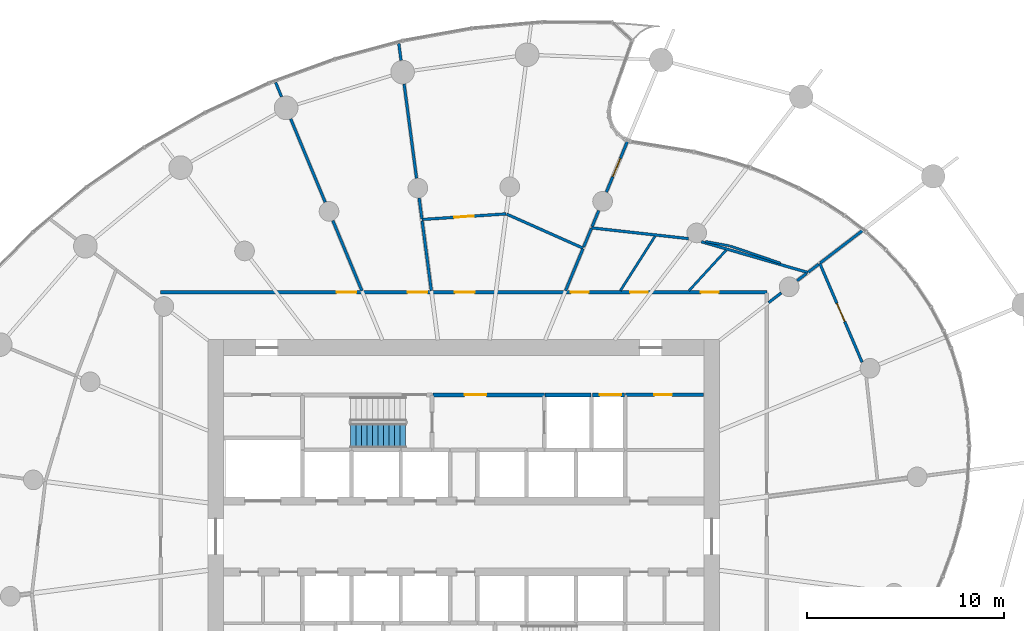
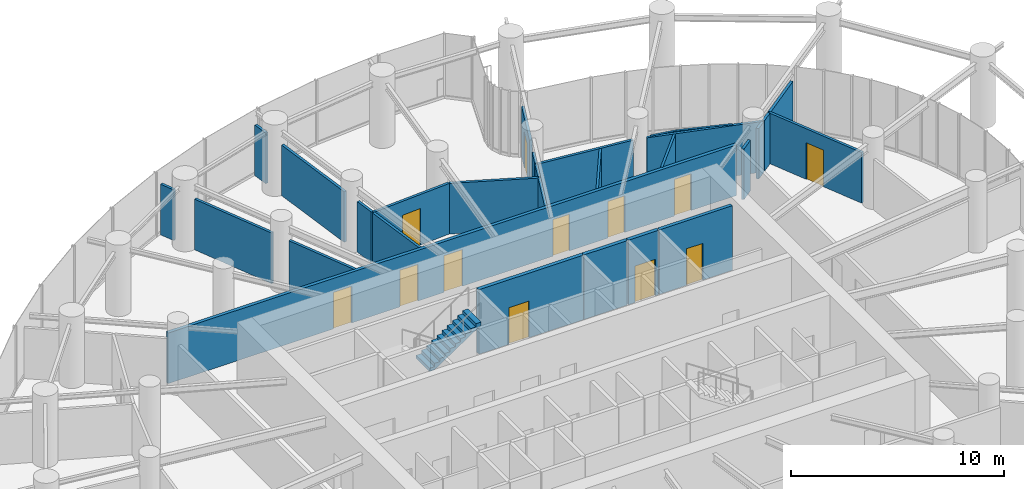
# One storey, part 17 of 21: 29 walls, 12 doors, 1 stair flight, 12 openings, 1 element without a shape of its own.
"""IFC4 building model written with IfcOpenShell, lengths in metres."""

from ifc_helpers import new_model, si_unit, direction, frame, frame_2d, origin, place, context, subcontext, project, spatial, line, indexed_curve, rectangle, outline, extrude, source, transform, mapped, material, layer, layer_set, type_object, element, fill, aggregate, save


model = new_model("IFC4")

# Units and contexts
model_context = context("Model", 3, precision=1e-05, world=origin(), true_north=direction((0.0, 1.0)))
body_context = subcontext(model_context, "Body", "Model", "MODEL_VIEW")
ifc_project = project(units=[si_unit("LENGTHUNIT", "METRE"), si_unit("AREAUNIT", "SQUARE_METRE"), si_unit("VOLUMEUNIT", "CUBIC_METRE"), si_unit("PLANEANGLEUNIT", "RADIAN"), si_unit("MASSUNIT", "GRAM", prefix="KILO")], contexts=[model_context])

# Site, building, storey
site_placement = place(None, origin())
site = spatial("IfcSite", under=ifc_project, at=site_placement, CompositionType="ELEMENT")
building_placement = place(site_placement, origin())
building = spatial("IfcBuilding", under=site, at=building_placement, Name="Spindrift Exchange Tower", CompositionType="ELEMENT")
storey_placement = place(building_placement, frame((0.0, 0.0, 83.89990234375)))
storey = spatial("IfcBuildingStorey", under=building, at=storey_placement, Name="L19", CompositionType="ELEMENT", Elevation=83.89990234375)

# Wall, opening, door
ifc_material_1 = material(Name="Fire-rated plasterboard partition", Category="gypsum")
ifc_layer_1 = layer(ifc_material_1, 0.179931640625)
ifc_layer_set_1 = layer_set([ifc_layer_1], Name="W-CORR-180")
wall_type_1 = type_object("IfcWallType", Name="W-CORR-180", PredefinedType="PARTITIONING", material=ifc_layer_set_1)
wall_1_placement = place(storey_placement, frame((64.179931640625, 55.199951171875, 0.0), z_axis=(0.0, 0.0, 1.0), x_axis=(-1.0, 0.0, 0.0)))
wall_1 = element("IfcWall", 1, at=wall_1_placement, inside=storey, type_object=wall_type_1, Name="L19 Partition wall 62", PredefinedType="PARTITIONING", context=body_context, shape_type="SweptSolid", body=[
    extrude(rectangle(XDim=3.949951171875, YDim=0.179931640625, at=frame_2d((1.97509765625, 0.0))), origin(), (0.0, 0.0, 1.0), 3.7001953125),
])
opening_1_placement = place(wall_1_placement, frame((1.60009765625, 0.0, 0.0)))
opening_1 = element("IfcOpeningElement", 2, at=opening_1_placement, cuts=wall_1, Name="Opening L19-D48", PredefinedType="OPENING", context=body_context, shape_type="SweptSolid", body=[
    extrude(rectangle(XDim=0.89990234375, YDim=2.10009765625, at=frame_2d((0.449951171875, 1.050048828125))), frame((0.0, 0.099853515625, 0.0), z_axis=(0.0, -1.0, 0.0), x_axis=(1.0, 0.0, 0.0)), (0.0, 0.0, 1.0), 0.199951171875),
])
ifc_material_2 = material(Name="Steel access door", Category="steel")
door_type_1 = type_object("IfcDoorType", Name="DR-RISER-900", OperationType="NOTDEFINED", PredefinedType="DOOR", material=ifc_material_2)
shared_shape_1 = source(origin(), body_context, "Body", "SweptSolid", [
    extrude(rectangle(XDim=0.89990234375, YDim=2.10009765625, at=frame_2d((0.449951171875, 1.050048828125))), frame((0.0, 0.02490234375, 0.0), z_axis=(0.0, -1.0, 0.0), x_axis=(1.0, 0.0, 0.0)), (0.0, 0.0, 1.0), 0.050048828125),
])
door_1_placement = place(opening_1_placement, origin())
door_1 = element("IfcDoor", 3, at=door_1_placement, inside=storey, type_object=door_type_1, Name="L19 Riser door 48", OperationType="SINGLE_SWING_RIGHT", OverallHeight=2.10009765625, OverallWidth=0.89990234375, PredefinedType="DOOR", context=body_context, shape_type="MappedRepresentation", body=[
    mapped(shared_shape_1, transform((0.0, 0.0, 0.0), scale=1.0)),
])
fill(opening_1, door_1)

# Wall
ifc_layer_2 = layer(ifc_material_1, 0.139892578125)
ifc_layer_set_2 = layer_set([ifc_layer_2], Name="W-PART-140")
wall_type_2 = type_object("IfcWallType", Name="W-PART-140", PredefinedType="PARTITIONING", material=ifc_layer_set_2)
wall_2_placement = place(storey_placement, frame((69.482666015625, 61.414794921875, 0.0), z_axis=(0.0, 0.0, 1.0), x_axis=(-0.960703393741, 0.277576996982, 0.0)))
element("IfcWall", 4, at=wall_2_placement, inside=storey, type_object=wall_type_2, Name="L19 Partition wall 72", PredefinedType="PARTITIONING", context=body_context, shape_type="SweptSolid", body=[
    extrude(rectangle(XDim=5.631591796875, YDim=0.139892578125, at=frame_2d((2.81591796875, 0.0))), origin(), (0.0, 0.0, 1.0), 2.900146484375),
])

# Wall, opening, door
wall_3_placement = place(storey_placement, frame((70.089111328125, 61.880126953125, 0.0), z_axis=(0.0, 0.0, 1.0), x_axis=(0.393299181535, -0.919410546929, 0.0)))
wall_3 = element("IfcWall", 5, at=wall_3_placement, inside=storey, type_object=wall_type_2, Name="L19 Partition wall 74", PredefinedType="PARTITIONING", context=body_context, shape_type="SweptSolid", body=[
    extrude(rectangle(XDim=5.465087890625, YDim=0.139892578125, at=frame_2d((2.732421875, 0.0))), origin(), (0.0, 0.0, 1.0), 2.900146484375),
])
opening_2_placement = place(wall_3_placement, frame((2.215087890625, 0.0, 0.0)))
opening_2 = element("IfcOpeningElement", 6, at=opening_2_placement, cuts=wall_3, Name="Opening L19-D25", PredefinedType="OPENING", context=body_context, shape_type="SweptSolid", body=[
    extrude(rectangle(XDim=1.0, YDim=2.10009765625, at=frame_2d((0.5, 1.050048828125))), frame((0.0, 0.079833984375, 0.0), z_axis=(0.0, -1.0, 0.0), x_axis=(1.0, 0.0, 0.0)), (0.0, 0.0, 1.0), 0.159912109375),
])
ifc_material_3 = material(Name="Timber-core fire door", Category="wood")
door_type_2 = type_object("IfcDoorType", Name="DR-ROOM-1000", OperationType="NOTDEFINED", PredefinedType="DOOR", material=ifc_material_3)
shared_shape_2 = source(origin(), body_context, "Body", "SweptSolid", [
    extrude(rectangle(XDim=1.0, YDim=2.10009765625, at=frame_2d((0.5, 1.050048828125))), frame((0.0, 0.02490234375, 0.0), z_axis=(0.0, -1.0, 0.0), x_axis=(1.0, 0.0, 0.0)), (0.0, 0.0, 1.0), 0.050048828125),
])
door_2_placement = place(opening_2_placement, origin())
door_2 = element("IfcDoor", 7, at=door_2_placement, inside=storey, type_object=door_type_2, Name="L19 Door 25", OperationType="SINGLE_SWING_LEFT", OverallHeight=2.10009765625, OverallWidth=1.0, PredefinedType="DOOR", context=body_context, shape_type="MappedRepresentation", body=[
    mapped(shared_shape_2, transform((0.0, 0.0, 0.0), scale=1.0)),
])
fill(opening_2, door_2)

# Wall
wall_4_placement = place(storey_placement, frame((63.421630859375, 63.134521484375, 0.0), z_axis=(0.0, 0.0, 1.0), x_axis=(-0.993871714134, 0.110539657341, 0.0)))
element("IfcWall", 8, at=wall_4_placement, inside=storey, type_object=wall_type_2, Name="L19 Partition wall 78", PredefinedType="PARTITIONING", context=body_context, shape_type="SweptSolid", body=[
    extrude(rectangle(XDim=4.9560546875, YDim=0.139892578125, at=frame_2d((2.47802734375, 0.0))), origin(), (0.0, 0.0, 1.0), 2.900146484375),
])

# Wall, opening, door
wall_5_placement = place(storey_placement, frame((49.87939453125, 64.10791015625, 0.0), z_axis=(0.0, 0.0, 1.0), x_axis=(0.997809026682, 0.066160005079, 0.0)))
wall_5 = element("IfcWall", 9, at=wall_5_placement, inside=storey, type_object=wall_type_2, Name="L19 Partition wall 83", PredefinedType="PARTITIONING", context=body_context, shape_type="SweptSolid", body=[
    extrude(rectangle(XDim=4.287841796875, YDim=0.139892578125, at=frame_2d((2.14404296875, 0.0))), origin(), (0.0, 0.0, 1.0), 2.900146484375),
])
opening_3_placement = place(wall_5_placement, frame((1.63818359375, 0.0, 0.0)))
opening_3 = element("IfcOpeningElement", 10, at=opening_3_placement, cuts=wall_5, Name="Opening L19-D30", PredefinedType="OPENING", context=body_context, shape_type="SweptSolid", body=[
    extrude(rectangle(XDim=1.0, YDim=2.10009765625, at=frame_2d((0.5, 1.050048828125))), frame((0.0, 0.079833984375, 0.0), z_axis=(0.0, -1.0, 0.0), x_axis=(1.0, 0.0, 0.0)), (0.0, 0.0, 1.0), 0.159912109375),
])
door_3_placement = place(opening_3_placement, origin())
door_3 = element("IfcDoor", 11, at=door_3_placement, inside=storey, type_object=door_type_2, Name="L19 Door 30", OperationType="SINGLE_SWING_RIGHT", OverallHeight=2.10009765625, OverallWidth=1.0, PredefinedType="DOOR", context=body_context, shape_type="MappedRepresentation", body=[
    mapped(shared_shape_2, transform((0.0, 0.0, 0.0), scale=1.0)),
])
fill(opening_3, door_3)

# Wall
wall_6_placement = place(storey_placement, frame((58.067626953125, 62.648681640625, 0.0), z_axis=(0.0, 0.0, 1.0), x_axis=(-0.913353847003, 0.40716673509, 0.0)))
element("IfcWall", 12, at=wall_6_placement, inside=storey, type_object=wall_type_2, Name="L19 Partition wall 84", PredefinedType="PARTITIONING", context=body_context, shape_type="SweptSolid", body=[
    extrude(rectangle(XDim=4.250732421875, YDim=0.139892578125, at=frame_2d((2.12548828125, 0.0))), origin(), (0.0, 0.0, 1.0), 2.900146484375),
])

# Wall, opening, door
wall_7_placement = place(storey_placement, frame((60.3115234375, 68.065673828125, 0.0), z_axis=(0.0, 0.0, 1.0), x_axis=(-0.382706055611, -0.923870161331, 0.0)))
wall_7 = element("IfcWall", 13, at=wall_7_placement, inside=storey, type_object=wall_type_2, Name="L19 Partition wall 93", PredefinedType="PARTITIONING", context=body_context, shape_type="SweptSolid", body=[
    extrude(rectangle(XDim=2.779541015625, YDim=0.139892578125, at=frame_2d((1.3896484375, 0.0))), origin(), (0.0, 0.0, 1.0), 2.900146484375),
])
opening_4_placement = place(wall_7_placement, frame((0.92919921875, 0.0, 0.0)))
opening_4 = element("IfcOpeningElement", 14, at=opening_4_placement, cuts=wall_7, Name="Opening L19-D31", PredefinedType="OPENING", context=body_context, shape_type="SweptSolid", body=[
    extrude(rectangle(XDim=1.0, YDim=2.10009765625, at=frame_2d((0.5, 1.050048828125))), frame((0.0, 0.079833984375, 0.0), z_axis=(0.0, -1.0, 0.0), x_axis=(1.0, 0.0, 0.0)), (0.0, 0.0, 1.0), 0.159912109375),
])
door_4_placement = place(opening_4_placement, origin())
door_4 = element("IfcDoor", 15, at=door_4_placement, inside=storey, type_object=door_type_2, Name="L19 Door 31", OperationType="SINGLE_SWING_LEFT", OverallHeight=2.10009765625, OverallWidth=1.0, PredefinedType="DOOR", context=body_context, shape_type="MappedRepresentation", body=[
    mapped(shared_shape_2, transform((0.0, 0.0, 0.0), scale=1.0)),
])
fill(opening_4, door_4)

# Walls
wall_8_placement = place(storey_placement, frame((70.11279296875, 61.8984375, 0.0), z_axis=(0.0, 0.0, 1.0), x_axis=(0.793370018498, 0.608739692931, 0.0)))
element("IfcWall", 16, at=wall_8_placement, inside=storey, type_object=wall_type_2, Name="L19 Partition wall 94", PredefinedType="PARTITIONING", context=body_context, shape_type="SweptSolid", body=[
    extrude(rectangle(XDim=2.710693359375, YDim=0.139892578125, at=frame_2d((1.35546875, 0.0))), origin(), (0.0, 0.0, 1.0), 2.900146484375),
])
wall_9_placement = place(storey_placement, frame((57.173583984375, 60.489990234375, 0.0), z_axis=(0.0, 0.0, 1.0), x_axis=(0.382622885098, 0.923904609686, 0.0)))
element("IfcWall", 17, at=wall_9_placement, inside=storey, type_object=wall_type_2, Name="L19 Partition wall 95", PredefinedType="PARTITIONING", context=body_context, shape_type="SweptSolid", body=[
    extrude(rectangle(XDim=2.306640625, YDim=0.139892578125, at=frame_2d((1.1533203125, 0.0))), origin(), (0.0, 0.0, 1.0), 2.900146484375),
])
wall_10_placement = place(storey_placement, frame((58.861328125, 64.564697265625, 0.0), z_axis=(0.0, 0.0, 1.0), x_axis=(-0.38276732447, -0.923844778801, 0.0)))
element("IfcWall", 18, at=wall_10_placement, inside=storey, type_object=wall_type_2, Name="L19 Partition wall 99", PredefinedType="PARTITIONING", context=body_context, shape_type="SweptSolid", body=[
    extrude(rectangle(XDim=0.882080078125, YDim=0.139892578125, at=frame_2d((0.44091796875, 0.0))), origin(), (0.0, 0.0, 1.0), 2.900146484375),
])
wall_11_placement = place(storey_placement, frame((58.484375, 63.65478515625, 0.0), z_axis=(0.0, 0.0, 1.0), x_axis=(-0.382640996584, -0.923897108846, 0.0)))
element("IfcWall", 19, at=wall_11_placement, inside=storey, type_object=wall_type_2, Name="L19 Partition wall 100", PredefinedType="PARTITIONING", context=body_context, shape_type="SweptSolid", body=[
    extrude(rectangle(XDim=1.01904296875, YDim=0.139892578125, at=frame_2d((0.509521484375, 0.0))), origin(), (0.0, 0.0, 1.0), 2.900146484375),
])
wall_12_placement = place(storey_placement, frame((67.489990234375, 59.885986328125, 0.0), z_axis=(0.0, 0.0, 1.0), x_axis=(0.793316076519, 0.608809989025, 0.0)))
element("IfcWall", 20, at=wall_12_placement, inside=storey, type_object=wall_type_2, Name="L19 Partition wall 114", PredefinedType="PARTITIONING", context=body_context, shape_type="SweptSolid", body=[
    extrude(rectangle(XDim=0.8125, YDim=0.139892578125, at=frame_2d((0.40625, 0.0))), origin(), (0.0, 0.0, 1.0), 2.900146484375),
])
wall_13_placement = place(storey_placement, frame((69.50634765625, 61.43310546875, 0.0), z_axis=(0.0, 0.0, 1.0), x_axis=(0.793404561432, 0.608694670504, 0.0)))
element("IfcWall", 21, at=wall_13_placement, inside=storey, type_object=wall_type_2, Name="L19 Partition wall 117", PredefinedType="PARTITIONING", context=body_context, shape_type="SweptSolid", body=[
    extrude(rectangle(XDim=0.662109375, YDim=0.139892578125, at=frame_2d((0.3310546875, 0.0))), origin(), (0.0, 0.0, 1.0), 2.900146484375),
])
wall_14_placement = place(storey_placement, frame((68.93505859375, 60.99462890625, 0.0), z_axis=(0.0, 0.0, 1.0), x_axis=(0.79334569595, 0.608771391178, 0.0)))
element("IfcWall", 22, at=wall_14_placement, inside=storey, type_object=wall_type_2, Name="L19 Partition wall 118", PredefinedType="PARTITIONING", context=body_context, shape_type="SweptSolid", body=[
    extrude(rectangle(XDim=0.603271484375, YDim=0.139892578125, at=frame_2d((0.3017578125, 0.0))), origin(), (0.0, 0.0, 1.0), 2.900146484375),
])
ifc_layer_3 = layer(ifc_material_1, 0.139892578125)
ifc_layer_set_3 = layer_set([ifc_layer_3], Name="W-PLANT-140")
wall_type_3 = type_object("IfcWallType", Name="W-PLANT-140", PredefinedType="PARTITIONING", material=ifc_layer_set_3)
wall_15_placement = place(storey_placement, frame((49.603515625, 66.203369140625, 0.0), z_axis=(0.0, 0.0, 1.0), x_axis=(-0.130552494248, 0.991441398291, 0.0)))
element("IfcWall", 23, at=wall_15_placement, inside=storey, type_object=wall_type_3, Name="L19 Partition wall 80", PredefinedType="PARTITIONING", context=body_context, shape_type="SweptSolid", body=[
    extrude(rectangle(XDim=4.833984375, YDim=0.139892578125, at=frame_2d((2.4169921875, 0.0))), origin(), (0.0, 0.0, 1.0), 2.900146484375),
])
wall_16_placement = place(storey_placement, frame((44.965087890625, 64.984130859375, 0.0), z_axis=(0.0, 0.0, 1.0), x_axis=(-0.382705930348, 0.923870213221, 0.0)))
element("IfcWall", 24, at=wall_16_placement, inside=storey, type_object=wall_type_3, Name="L19 Partition wall 81", PredefinedType="PARTITIONING", context=body_context, shape_type="SweptSolid", body=[
    extrude(rectangle(XDim=4.586669921875, YDim=0.139892578125, at=frame_2d((2.29345703125, 0.0))), origin(), (0.0, 0.0, 1.0), 2.900146484375),
])
wall_17_placement = place(storey_placement, frame((46.826416015625, 60.489990234375, 0.0), z_axis=(0.0, 0.0, 1.0), x_axis=(-0.382644558062, 0.923895633817, 0.0)))
element("IfcWall", 25, at=wall_17_placement, inside=storey, type_object=wall_type_3, Name="L19 Partition wall 87", PredefinedType="PARTITIONING", context=body_context, shape_type="SweptSolid", body=[
    extrude(rectangle(XDim=3.854248046875, YDim=0.139892578125, at=frame_2d((1.92724609375, 0.0))), origin(), (0.0, 0.0, 1.0), 2.900146484375),
])
wall_18_placement = place(storey_placement, frame((50.355712890625, 60.489990234375, 0.0), z_axis=(0.0, 0.0, 1.0), x_axis=(-0.130563916161, 0.991439894193, 0.0)))
element("IfcWall", 26, at=wall_18_placement, inside=storey, type_object=wall_type_3, Name="L19 Partition wall 91", PredefinedType="PARTITIONING", context=body_context, shape_type="SweptSolid", body=[
    extrude(rectangle(XDim=3.578857421875, YDim=0.139892578125, at=frame_2d((1.78955078125, 0.0))), origin(), (0.0, 0.0, 1.0), 2.900146484375),
])
wall_19_placement = place(storey_placement, frame((49.87548828125, 64.137451171875, 0.0), z_axis=(0.0, 0.0, 1.0), x_axis=(-0.130601397608, 0.991434957495, 0.0)))
element("IfcWall", 27, at=wall_19_placement, inside=storey, type_object=wall_type_3, Name="L19 Partition wall 110", PredefinedType="PARTITIONING", context=body_context, shape_type="SweptSolid", body=[
    extrude(rectangle(XDim=1.074951171875, YDim=0.139892578125, at=frame_2d((0.53759765625, 0.0))), origin(), (0.0, 0.0, 1.0), 2.900146484375),
])
wall_20_placement = place(storey_placement, frame((48.814697265625, 72.194580078125, 0.0), z_axis=(0.0, 0.0, 1.0), x_axis=(-0.130343356352, 0.991468915022, 0.0)))
element("IfcWall", 28, at=wall_20_placement, inside=storey, type_object=wall_type_3, Name="L19 Partition wall 115", PredefinedType="PARTITIONING", context=body_context, shape_type="SweptSolid", body=[
    extrude(rectangle(XDim=0.852294921875, YDim=0.139892578125, at=frame_2d((0.42626953125, 0.0))), origin(), (0.0, 0.0, 1.0), 2.900146484375),
])
wall_21_placement = place(storey_placement, frame((42.74658203125, 70.339599609375, 0.0), z_axis=(0.0, 0.0, 1.0), x_axis=(-0.382698732017, 0.92387319504, 0.0)))
element("IfcWall", 29, at=wall_21_placement, inside=storey, type_object=wall_type_3, Name="L19 Partition wall 116", PredefinedType="PARTITIONING", context=body_context, shape_type="SweptSolid", body=[
    extrude(rectangle(XDim=0.787109375, YDim=0.139892578125, at=frame_2d((0.3935546875, 0.0))), origin(), (0.0, 0.0, 1.0), 2.900146484375),
])

# Wall, openings, doors
ifc_layer_4 = layer(ifc_material_1, 0.179931640625)
ifc_layer_set_4 = layer_set([ifc_layer_4], Name="W-PLANT-180")
wall_type_4 = type_object("IfcWallType", Name="W-PLANT-180", PredefinedType="PARTITIONING", material=ifc_layer_set_4)
wall_22_placement = place(storey_placement, frame((36.60009765625, 60.39990234375, 0.0), z_axis=(0.0, 0.0, 1.0), x_axis=(1.0, 0.0, 0.0)))
wall_22 = element("IfcWall", 30, at=wall_22_placement, inside=storey, type_object=wall_type_4, Name="L19 Partition wall 58", PredefinedType="PARTITIONING", context=body_context, shape_type="SweptSolid", body=[
    extrude(rectangle(XDim=30.7998046875, YDim=0.179931640625, at=frame_2d((15.39990234375, 0.0))), origin(), (0.0, 0.0, 1.0), 2.900146484375),
])
opening_5_placement = place(wall_22_placement, frame((27.449951171875, 0.0, 0.0)))
opening_5 = element("IfcOpeningElement", 31, at=opening_5_placement, cuts=wall_22, Name="Opening L19-D26", PredefinedType="OPENING", context=body_context, shape_type="SweptSolid", body=[
    extrude(rectangle(XDim=0.89990234375, YDim=2.10009765625, at=frame_2d((0.449951171875, 1.050048828125))), frame((0.0, 0.099853515625, 0.0), z_axis=(0.0, -1.0, 0.0), x_axis=(1.0, 0.0, 0.0)), (0.0, 0.0, 1.0), 0.199951171875),
])
opening_6_placement = place(wall_22_placement, frame((23.85009765625, 0.0, 0.0)))
opening_6 = element("IfcOpeningElement", 32, at=opening_6_placement, cuts=wall_22, Name="Opening L19-D27", PredefinedType="OPENING", context=body_context, shape_type="SweptSolid", body=[
    extrude(rectangle(XDim=0.89990234375, YDim=2.10009765625, at=frame_2d((0.449951171875, 1.050048828125))), frame((0.0, 0.099853515625, 0.0), z_axis=(0.0, -1.0, 0.0), x_axis=(1.0, 0.0, 0.0)), (0.0, 0.0, 1.0), 0.199951171875),
])
opening_7_placement = place(wall_22_placement, frame((20.85009765625, 0.0, 0.0)))
opening_7 = element("IfcOpeningElement", 33, at=opening_7_placement, cuts=wall_22, Name="Opening L19-D28", PredefinedType="OPENING", context=body_context, shape_type="SweptSolid", body=[
    extrude(rectangle(XDim=0.89990234375, YDim=2.10009765625, at=frame_2d((0.449951171875, 1.050048828125))), frame((0.0, 0.099853515625, 0.0), z_axis=(0.0, -1.0, 0.0), x_axis=(1.0, 0.0, 0.0)), (0.0, 0.0, 1.0), 0.199951171875),
])
opening_8_placement = place(wall_22_placement, frame((14.949951171875, 0.0, 0.0)))
opening_8 = element("IfcOpeningElement", 34, at=opening_8_placement, cuts=wall_22, Name="Opening L19-D29", PredefinedType="OPENING", context=body_context, shape_type="SweptSolid", body=[
    extrude(rectangle(XDim=1.0, YDim=2.10009765625, at=frame_2d((0.5, 1.050048828125))), frame((0.0, 0.099853515625, 0.0), z_axis=(0.0, -1.0, 0.0), x_axis=(1.0, 0.0, 0.0)), (0.0, 0.0, 1.0), 0.199951171875),
])
opening_9_placement = place(wall_22_placement, frame((12.550048828125, 0.0, 0.0)))
opening_9 = element("IfcOpeningElement", 35, at=opening_9_placement, cuts=wall_22, Name="Opening L19-D32", PredefinedType="OPENING", context=body_context, shape_type="SweptSolid", body=[
    extrude(rectangle(XDim=1.0, YDim=2.10009765625, at=frame_2d((0.5, 1.050048828125))), frame((0.0, 0.099853515625, 0.0), z_axis=(0.0, -1.0, 0.0), x_axis=(1.0, 0.0, 0.0)), (0.0, 0.0, 1.0), 0.199951171875),
])
opening_10_placement = place(wall_22_placement, frame((8.949951171875, 0.0, 0.0)))
opening_10 = element("IfcOpeningElement", 36, at=opening_10_placement, cuts=wall_22, Name="Opening L19-D33", PredefinedType="OPENING", context=body_context, shape_type="SweptSolid", body=[
    extrude(rectangle(XDim=1.0, YDim=2.10009765625, at=frame_2d((0.5, 1.050048828125))), frame((0.0, 0.099853515625, 0.0), z_axis=(0.0, -1.0, 0.0), x_axis=(1.0, 0.0, 0.0)), (0.0, 0.0, 1.0), 0.199951171875),
])
door_5_placement = place(opening_8_placement, origin())
door_5 = element("IfcDoor", 37, at=door_5_placement, inside=storey, type_object=door_type_2, Name="L19 Door 29", OperationType="SINGLE_SWING_LEFT", OverallHeight=2.10009765625, OverallWidth=1.0, PredefinedType="DOOR", context=body_context, shape_type="MappedRepresentation", body=[
    mapped(shared_shape_2, transform((0.0, 0.0, 0.0), scale=1.0)),
])
fill(opening_8, door_5)
door_6_placement = place(opening_9_placement, origin())
door_6 = element("IfcDoor", 38, at=door_6_placement, inside=storey, type_object=door_type_2, Name="L19 Door 32", OperationType="SINGLE_SWING_RIGHT", OverallHeight=2.10009765625, OverallWidth=1.0, PredefinedType="DOOR", context=body_context, shape_type="MappedRepresentation", body=[
    mapped(shared_shape_2, transform((0.0, 0.0, 0.0), scale=1.0)),
])
fill(opening_9, door_6)
door_7_placement = place(opening_10_placement, origin())
door_7 = element("IfcDoor", 39, at=door_7_placement, inside=storey, type_object=door_type_2, Name="L19 Door 33", OperationType="SINGLE_SWING_LEFT", OverallHeight=2.10009765625, OverallWidth=1.0, PredefinedType="DOOR", context=body_context, shape_type="MappedRepresentation", body=[
    mapped(shared_shape_2, transform((0.0, 0.0, 0.0), scale=1.0)),
])
fill(opening_10, door_7)
ifc_material_4 = material(Name="Laminate washroom door", Category="wood")
door_type_3 = type_object("IfcDoorType", Name="DR-WC-900", OperationType="NOTDEFINED", PredefinedType="DOOR", material=ifc_material_4)
shared_shape_3 = source(origin(), body_context, "Body", "SweptSolid", [
    extrude(rectangle(XDim=0.89990234375, YDim=2.10009765625, at=frame_2d((0.449951171875, 1.050048828125))), frame((0.0, 0.02490234375, 0.0), z_axis=(0.0, -1.0, 0.0), x_axis=(1.0, 0.0, 0.0)), (0.0, 0.0, 1.0), 0.050048828125),
])
door_8_placement = place(opening_5_placement, origin())
door_8 = element("IfcDoor", 40, at=door_8_placement, inside=storey, type_object=door_type_3, Name="L19 WC door 26", OperationType="SINGLE_SWING_RIGHT", OverallHeight=2.10009765625, OverallWidth=0.89990234375, PredefinedType="DOOR", context=body_context, shape_type="MappedRepresentation", body=[
    mapped(shared_shape_3, transform((0.0, 0.0, 0.0), scale=1.0)),
])
fill(opening_5, door_8)
door_9_placement = place(opening_6_placement, origin())
door_9 = element("IfcDoor", 41, at=door_9_placement, inside=storey, type_object=door_type_3, Name="L19 WC door 27", OperationType="SINGLE_SWING_LEFT", OverallHeight=2.10009765625, OverallWidth=0.89990234375, PredefinedType="DOOR", context=body_context, shape_type="MappedRepresentation", body=[
    mapped(shared_shape_3, transform((0.0, 0.0, 0.0), scale=1.0)),
])
fill(opening_6, door_9)
door_10_placement = place(opening_7_placement, origin())
door_10 = element("IfcDoor", 42, at=door_10_placement, inside=storey, type_object=door_type_3, Name="L19 WC door 28", OperationType="SINGLE_SWING_RIGHT", OverallHeight=2.10009765625, OverallWidth=0.89990234375, PredefinedType="DOOR", context=body_context, shape_type="MappedRepresentation", body=[
    mapped(shared_shape_3, transform((0.0, 0.0, 0.0), scale=1.0)),
])
fill(opening_7, door_10)

# Wall
ifc_material_5 = material(Name="Concrete 40 MPa", Category="concrete")
ifc_layer_5 = layer(ifc_material_5, 0.199951171875)
ifc_layer_set_5 = layer_set([ifc_layer_5], Name="W-SHAFT-200")
wall_type_5 = type_object("IfcWallType", Name="W-SHAFT-200", PredefinedType="SOLIDWALL", material=ifc_layer_set_5)
wall_23_placement = place(storey_placement, frame((58.469970703125, 55.199951171875, 0.0), z_axis=(0.0, 0.0, 1.0), x_axis=(-1.0, 0.0, 0.0)))
element("IfcWall", 43, at=wall_23_placement, inside=storey, type_object=wall_type_5, Name="L19 Shaft wall 22", PredefinedType="SOLIDWALL", context=body_context, shape_type="SweptSolid", body=[
    extrude(rectangle(XDim=2.340087890625, YDim=0.199951171875, at=frame_2d((1.169921875, 0.0))), origin(), (0.0, 0.0, 1.0), 3.7001953125),
])

# Wall, opening, door
wall_24_placement = place(storey_placement, frame((60.169921875, 55.199951171875, 0.0), z_axis=(0.0, 0.0, 1.0), x_axis=(-1.0, 0.0, 0.0)))
wall_24 = element("IfcWall", 44, at=wall_24_placement, inside=storey, type_object=wall_type_5, Name="L19 Shaft wall 43", PredefinedType="SOLIDWALL", context=body_context, shape_type="SweptSolid", body=[
    extrude(rectangle(XDim=1.639892578125, YDim=0.199951171875, at=frame_2d((0.81982421875, 0.0))), origin(), (0.0, 0.0, 1.0), 3.7001953125),
])
opening_11_placement = place(wall_24_placement, frame((0.169921875, 0.0, 0.0)))
opening_11 = element("IfcOpeningElement", 45, at=opening_11_placement, cuts=wall_24, Name="Opening L19-D11", PredefinedType="OPENING", context=body_context, shape_type="SweptSolid", body=[
    extrude(rectangle(XDim=1.10009765625, YDim=2.10009765625, at=frame_2d((0.550048828125, 1.050048828125))), frame((0.0, 0.10986328125, 0.0), z_axis=(0.0, -1.0, 0.0), x_axis=(1.0, 0.0, 0.0)), (0.0, 0.0, 1.0), 0.219970703125),
])
ifc_material_6 = material(Name="Stainless steel landing door", Category="steel")
door_type_4 = type_object("IfcDoorType", Name="DR-LANDING-1100-SL", OperationType="DOUBLE_DOOR_SLIDING", PredefinedType="USERDEFINED", material=ifc_material_6)
shared_shape_4 = source(origin(), body_context, "Body", "SweptSolid", [
    extrude(rectangle(XDim=1.10009765625, YDim=2.10009765625, at=frame_2d((0.550048828125, 1.050048828125))), frame((0.0, 0.02490234375, 0.0), z_axis=(0.0, -1.0, 0.0), x_axis=(1.0, 0.0, 0.0)), (0.0, 0.0, 1.0), 0.050048828125),
])
door_11_placement = place(opening_11_placement, origin())
door_11 = element("IfcDoor", 46, at=door_11_placement, inside=storey, type_object=door_type_4, Name="L19 Lift landing door 11", ObjectType="LANDING DOOR", OperationType="DOUBLE_DOOR_SLIDING", OverallHeight=2.10009765625, OverallWidth=1.10009765625, PredefinedType="USERDEFINED", context=body_context, shape_type="MappedRepresentation", body=[
    mapped(shared_shape_4, transform((0.0, 0.0, 0.0), scale=1.0)),
])
fill(opening_11, door_11)

ifc_layer_6 = layer(ifc_material_5, 0.199951171875)
ifc_layer_set_6 = layer_set([ifc_layer_6], Name="W-SHAFT-200-LB")
wall_type_6 = type_object("IfcWallType", Name="W-SHAFT-200-LB", PredefinedType="SOLIDWALL", material=ifc_layer_set_6)
wall_25_placement = place(storey_placement, frame((56.10009765625, 55.199951171875, 0.0), z_axis=(0.0, 0.0, 1.0), x_axis=(-1.0, 0.0, 0.0)))
wall_25 = element("IfcWall", 47, at=wall_25_placement, inside=storey, type_object=wall_type_6, Name="L19 Shaft wall 4", PredefinedType="SOLIDWALL", context=body_context, shape_type="SweptSolid", body=[
    extrude(rectangle(XDim=5.670166015625, YDim=0.199951171875, at=frame_2d((2.8349609375, 0.0))), origin(), (0.0, 0.0, 1.0), 3.7001953125),
])
opening_12_placement = place(wall_25_placement, frame((2.949951171875, 0.0, 0.0)))
opening_12 = element("IfcOpeningElement", 48, at=opening_12_placement, cuts=wall_25, Name="Opening L19-D15", PredefinedType="OPENING", context=body_context, shape_type="SweptSolid", body=[
    extrude(rectangle(XDim=1.10009765625, YDim=2.10009765625, at=frame_2d((0.550048828125, 1.050048828125))), frame((0.0, 0.10986328125, 0.0), z_axis=(0.0, -1.0, 0.0), x_axis=(1.0, 0.0, 0.0)), (0.0, 0.0, 1.0), 0.219970703125),
])
door_type_5 = type_object("IfcDoorType", Name="DR-LOBBY-1100", OperationType="NOTDEFINED", PredefinedType="DOOR", material=ifc_material_3)
shared_shape_5 = source(origin(), body_context, "Body", "SweptSolid", [
    extrude(rectangle(XDim=1.10009765625, YDim=2.10009765625, at=frame_2d((0.550048828125, 1.050048828125))), frame((0.0, 0.02490234375, 0.0), z_axis=(0.0, -1.0, 0.0), x_axis=(1.0, 0.0, 0.0)), (0.0, 0.0, 1.0), 0.050048828125),
])
door_12_placement = place(opening_12_placement, origin())
door_12 = element("IfcDoor", 49, at=door_12_placement, inside=storey, type_object=door_type_5, Name="L19 Lobby door 15", OperationType="SINGLE_SWING_LEFT", OverallHeight=2.10009765625, OverallWidth=1.10009765625, PredefinedType="DOOR", context=body_context, shape_type="MappedRepresentation", body=[
    mapped(shared_shape_5, transform((0.0, 0.0, 0.0), scale=1.0)),
])
fill(opening_12, door_12)

# Walls
ifc_layer_7 = layer(ifc_material_1, 0.1201171875)
ifc_layer_set_7 = layer_set([ifc_layer_7], Name="W-WET-120")
wall_type_7 = type_object("IfcWallType", Name="W-WET-120", PredefinedType="PARTITIONING", material=ifc_layer_set_7)
wall_26_placement = place(storey_placement, frame((68.093994140625, 61.888916015625, 0.0), z_axis=(0.0, 0.0, 1.0), x_axis=(-0.946388818608, 0.323029726207, 0.0)))
element("IfcWall", 50, at=wall_26_placement, inside=storey, type_object=wall_type_7, Name="L19 Partition wall 120", PredefinedType="PARTITIONING", context=body_context, shape_type="SweptSolid", body=[
    extrude(rectangle(XDim=2.710205078125, YDim=0.1201171875, at=frame_2d((1.35498046875, 0.0))), origin(), (0.0, 0.0, 1.0), 2.900146484375),
])
wall_27_placement = place(storey_placement, frame((59.95703125, 60.489990234375, 0.0), z_axis=(0.0, 0.0, 1.0), x_axis=(0.537318932705, 0.843379134528, 0.0)))
element("IfcWall", 51, at=wall_27_placement, inside=storey, type_object=wall_type_7, Name="L19 Partition wall 121", PredefinedType="PARTITIONING", context=body_context, shape_type="SweptSolid", body=[
    extrude(rectangle(XDim=3.27685546875, YDim=0.1201171875, at=frame_2d((1.638427734375, 0.0))), origin(), (0.0, 0.0, 1.0), 2.900146484375),
])
wall_28_placement = place(storey_placement, frame((63.445068359375, 60.489990234375, 0.0), z_axis=(0.0, 0.0, 1.0), x_axis=(0.675613442785, 0.737256045027, 0.0)))
element("IfcWall", 52, at=wall_28_placement, inside=storey, type_object=wall_type_7, Name="L19 Partition wall 122", PredefinedType="PARTITIONING", context=body_context, shape_type="SweptSolid", body=[
    extrude(rectangle(XDim=2.7841796875, YDim=0.1201171875, at=frame_2d((1.39208984375, 0.0))), origin(), (0.0, 0.0, 1.0), 2.900146484375),
])
wall_29_placement = place(storey_placement, frame((65.499755859375, 62.769775390625, 0.0), z_axis=(0.0, 0.0, 1.0), x_axis=(-0.983942088999, 0.178487998184, 0.0)))
element("IfcWall", 53, at=wall_29_placement, inside=storey, type_object=wall_type_7, Name="L19 Partition wall 123", PredefinedType="PARTITIONING", context=body_context, shape_type="SweptSolid", body=[
    extrude(rectangle(XDim=1.243408203125, YDim=0.1201171875, at=frame_2d((0.62158203125, 0.0))), origin(), (0.0, 0.0, 1.0), 2.900146484375),
])

# Stair, stair flight
ifc_material_7 = material(Name="Concrete 50 MPa", Category="concrete")
stair_type = type_object("IfcStairType", Name="ST-1250-R186", PredefinedType="HALF_TURN_STAIR", material=ifc_material_7)
stair_placement = place(storey_placement, origin())
stair = element("IfcStair", 54, at=stair_placement, inside=storey, type_object=stair_type, Name="L19 Exit stair ST1", PredefinedType="HALF_TURN_STAIR")
stair_flight_type = type_object("IfcStairFlightType", Name="STF-1250-R186", PredefinedType="STRAIGHT", material=ifc_material_7)
stair_flight_placement = place(storey_placement, frame((46.25, 53.125, 2.050048828125), z_axis=(0.0, 0.0, 1.0), x_axis=(1.0, 0.0, 0.0)))
stair_flight = element("IfcStairFlight", 55, at=stair_flight_placement, type_object=stair_flight_type, Name="ST1 flight 2", NumberOfRisers=11, NumberOfTreads=10, PredefinedType="STRAIGHT", RiserHeight=0.186363636, TreadLength=0.28, context=body_context, shape_type="SweptSolid", body=[
    extrude(outline(indexed_curve([(0.0, 0.0), (0.0, 0.1865234375), (0.2802734375, 0.1865234375), (0.2802734375, 0.373046875), (0.5595703125, 0.373046875), (0.5595703125, 0.5595703125), (0.83984375, 0.5595703125), (0.83984375, 0.7451171875), (1.1201171875, 0.7451171875), (1.1201171875, 0.931640625), (1.400390625, 0.931640625), (1.400390625, 1.1181640625), (1.6796875, 1.1181640625), (1.6796875, 1.3046875), (1.9599609375, 1.3046875), (1.9599609375, 1.4912109375), (2.240234375, 1.4912109375), (2.240234375, 1.677734375), (2.51953125, 1.677734375), (2.51953125, 1.86328125), (2.7998046875, 1.86328125), (2.7998046875, 2.0498046875), (2.7998046875, 1.68359375), (0.2705078125, 0.0)], segments=[line(1, 2, 3, 4, 5, 6, 7, 8, 9, 10, 11, 12, 13, 14, 15, 16, 17, 18, 19, 20, 21, 22, 23, 24, 1)], self_intersect=False)), frame((0.0, 0.625, 0.0), z_axis=(0.0, -1.0, 0.0), x_axis=(1.0, 0.0, 0.0)), (0.0, 0.0, 1.0), 1.25),
])
aggregate(stair, [stair_flight])

save(model, "model.ifc")
